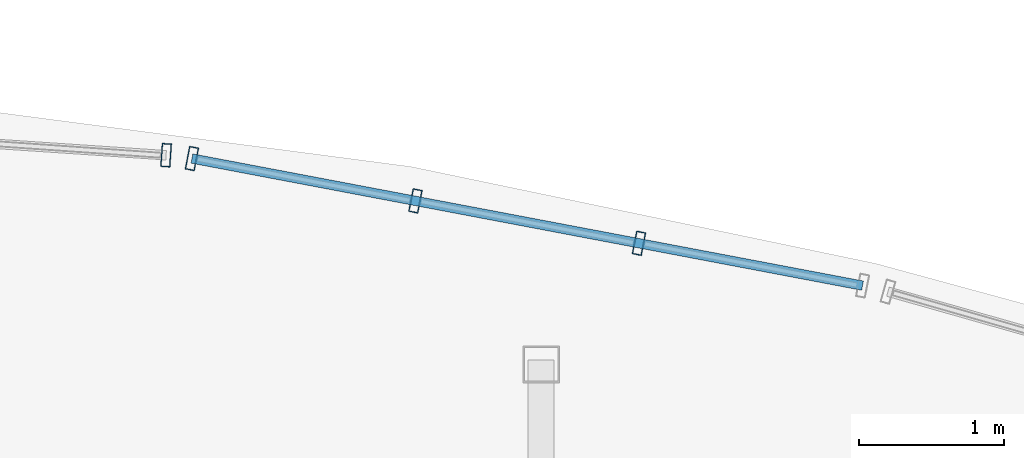
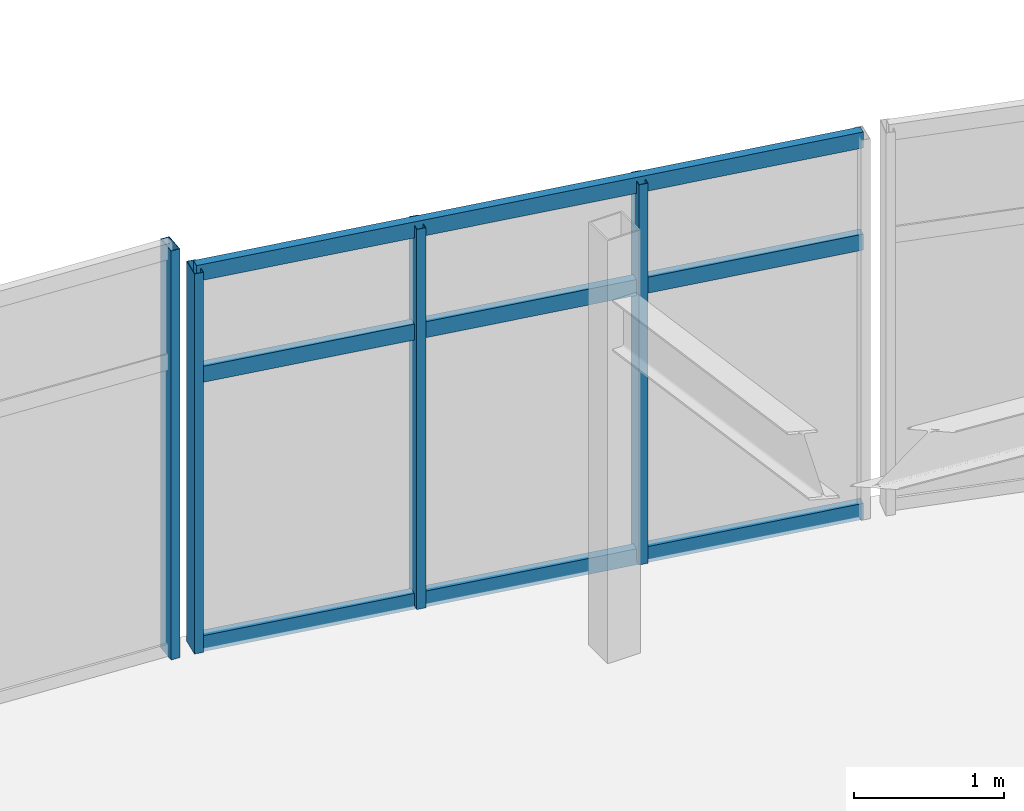
# One storey, part 33 of 114: 7 members, 2 elements without a shape of their own.
"""IFC4 building model written with IfcOpenShell, lengths in metres."""

from ifc_helpers import new_model, si_unit, direction, frame, origin, origin_2d, place, context, subcontext, project, spatial, hollow_rectangle, extrude, material, layer, layer_set, material_profile, profile_set, type_object, element, aggregate, save


model = new_model("IFC4")

# Units and contexts
model_context = context("Model", 3, precision=1e-05, world=origin(), true_north=direction((0.0, 1.0)))
body_context = subcontext(model_context, "Body", "Model", "MODEL_VIEW")
ifc_project = project(units=[si_unit("LENGTHUNIT", "METRE"), si_unit("AREAUNIT", "SQUARE_METRE"), si_unit("VOLUMEUNIT", "CUBIC_METRE"), si_unit("PLANEANGLEUNIT", "RADIAN"), si_unit("MASSUNIT", "GRAM", prefix="KILO")], contexts=[model_context])

# Site, building, storey
site_placement = place(None, origin())
site = spatial("IfcSite", under=ifc_project, at=site_placement, CompositionType="ELEMENT")
building_placement = place(site_placement, origin())
building = spatial("IfcBuilding", under=site, at=building_placement, Name="Chalmorin Arch Market", CompositionType="ELEMENT")
storey_placement = place(building_placement, frame((0.0, 0.0, 9.60009765625)))
storey = spatial("IfcBuildingStorey", under=building, at=storey_placement, Name="L02", CompositionType="ELEMENT", Elevation=9.60009765625)

# Curtain wall, member
ifc_material = material(Name="Aluminium 6063-T6", Category="aluminium")
ifc_layer_1 = layer(ifc_material, 0.159912109375)
ifc_layer_set_1 = layer_set([ifc_layer_1], Name="Aluminium 6063-T6")
curtain_wall_type_1 = type_object("IfcCurtainWallType", Name="RiverfrontStorefrontCurtainWall-CW2-4630x3330", PredefinedType="NOTDEFINED", material=ifc_layer_set_1)
curtain_wall_1_placement = place(storey_placement, origin())
curtain_wall_1 = element("IfcCurtainWall", 1, at=curtain_wall_1_placement, inside=storey, type_object=curtain_wall_type_1, Name="CW-02-083", PredefinedType="NOTDEFINED")
ifc_material_profile_1 = material_profile(ifc_material, hollow_rectangle(XDim=0.06494140625, YDim=0.159912109375, WallThickness=0.00390625, at=origin_2d()), Name="ALU65X160X4")
ifc_profile_set_1 = profile_set([ifc_material_profile_1], Name="Aluminium 6063-T6")
member_type_1 = type_object("IfcMemberType", Name="CurtainWallMullion-65x160", PredefinedType="MULLION", material=ifc_profile_set_1)
member_1_placement = place(storey_placement, frame((23.91015625, 54.365966796875, 0.0), z_axis=(0.0, 0.0, 1.0), x_axis=(0.99756405026, -0.069756473744, 0.0)))
member_1 = element("IfcMember", 2, at=member_1_placement, type_object=member_type_1, Name="ML-083-04", PredefinedType="MULLION", context=body_context, shape_type="SweptSolid", body=[
    extrude(hollow_rectangle(XDim=0.06494140625, YDim=0.159912109375, WallThickness=0.00390625, at=origin_2d()), origin(), (0.0, 0.0, 1.0), 3.325927734375),
])
aggregate(curtain_wall_1, [member_1])

# Curtain wall, members
ifc_layer_2 = layer(ifc_material, 0.159912109375)
ifc_layer_set_2 = layer_set([ifc_layer_2], Name="Aluminium 6063-T6")
curtain_wall_type_2 = type_object("IfcCurtainWallType", Name="RiverfrontStorefrontCurtainWall-CW2-4710x3090", PredefinedType="NOTDEFINED", material=ifc_layer_set_2)
curtain_wall_2_placement = place(storey_placement, origin())
curtain_wall_2 = element("IfcCurtainWall", 3, at=curtain_wall_2_placement, inside=storey, type_object=curtain_wall_type_2, Name="CW-02-086", PredefinedType="NOTDEFINED")
member_2_placement = place(storey_placement, frame((24.08837890625, 54.34326171875, 0.0), z_axis=(0.0, 0.0, 1.0), x_axis=(0.981627183448, -0.190808995377, 0.0)))
member_2 = element("IfcMember", 4, at=member_2_placement, type_object=member_type_1, Name="ML-086-01", PredefinedType="MULLION", context=body_context, shape_type="SweptSolid", body=[
    extrude(hollow_rectangle(XDim=0.06494140625, YDim=0.159912109375, WallThickness=0.00390625, at=origin_2d()), origin(), (0.0, 0.0, 1.0), 3.0908203125),
])
member_3_placement = place(storey_placement, frame((25.62939453125, 54.051025390625, 0.0), z_axis=(0.0, 0.0, 1.0), x_axis=(0.981627183448, -0.190808995377, 0.0)))
member_3 = element("IfcMember", 5, at=member_3_placement, type_object=member_type_1, Name="ML-086-02", PredefinedType="MULLION", context=body_context, shape_type="SweptSolid", body=[
    extrude(hollow_rectangle(XDim=0.06494140625, YDim=0.159912109375, WallThickness=0.00390625, at=origin_2d()), origin(), (0.0, 0.0, 1.0), 3.0908203125),
])
member_4_placement = place(storey_placement, frame((27.17041015625, 53.7587890625, 0.0), z_axis=(0.0, 0.0, 1.0), x_axis=(0.981627183448, -0.190808995377, 0.0)))
member_4 = element("IfcMember", 6, at=member_4_placement, type_object=member_type_1, Name="ML-086-03", PredefinedType="MULLION", context=body_context, shape_type="SweptSolid", body=[
    extrude(hollow_rectangle(XDim=0.06494140625, YDim=0.159912109375, WallThickness=0.00390625, at=origin_2d()), origin(), (0.0, 0.0, 1.0), 3.0908203125),
])
ifc_material_profile_2 = material_profile(ifc_material, hollow_rectangle(XDim=0.06494140625, YDim=0.1298828125, WallThickness=0.00390625, at=origin_2d()), Name="ALU65X130X4")
ifc_profile_set_2 = profile_set([ifc_material_profile_2], Name="Aluminium 6063-T6")
member_type_2 = type_object("IfcMemberType", Name="CurtainWallTransom-65x130", PredefinedType="USERDEFINED", material=ifc_profile_set_2)
member_5_placement = place(storey_placement, frame((24.08837890625, 54.34326171875, 0.034912109375), z_axis=(0.982500768679, -0.186258528783, 0.0), x_axis=(0.186258528783, 0.982500768679, 0.0)))
member_5 = element("IfcMember", 7, at=member_5_placement, type_object=member_type_2, Name="TR-086-01", ObjectType="TRANSOM", PredefinedType="USERDEFINED", context=body_context, shape_type="SweptSolid", body=[
    extrude(hollow_rectangle(XDim=0.06494140625, YDim=0.1298828125, WallThickness=0.00390625, at=origin_2d()), origin(), (0.0, 0.0, 1.0), 4.70556640625),
])
member_6_placement = place(storey_placement, frame((24.08837890625, 54.34326171875, 2.225341796875), z_axis=(0.982500768679, -0.186258528783, 0.0), x_axis=(0.186258528783, 0.982500768679, 0.0)))
member_6 = element("IfcMember", 8, at=member_6_placement, type_object=member_type_2, Name="TR-086-02", ObjectType="TRANSOM", PredefinedType="USERDEFINED", context=body_context, shape_type="SweptSolid", body=[
    extrude(hollow_rectangle(XDim=0.06494140625, YDim=0.1298828125, WallThickness=0.00390625, at=origin_2d()), origin(), (0.0, 0.0, 1.0), 4.70556640625),
])
member_7_placement = place(storey_placement, frame((24.08837890625, 54.34326171875, 3.055908203125), z_axis=(0.982500768679, -0.186258528783, 0.0), x_axis=(0.186258528783, 0.982500768679, 0.0)))
member_7 = element("IfcMember", 9, at=member_7_placement, type_object=member_type_2, Name="TR-086-03", ObjectType="TRANSOM", PredefinedType="USERDEFINED", context=body_context, shape_type="SweptSolid", body=[
    extrude(hollow_rectangle(XDim=0.06494140625, YDim=0.1298828125, WallThickness=0.00390625, at=origin_2d()), origin(), (0.0, 0.0, 1.0), 4.70556640625),
])
aggregate(curtain_wall_2, [member_2, member_3, member_4, member_5, member_6, member_7])

save(model, "model.ifc")
